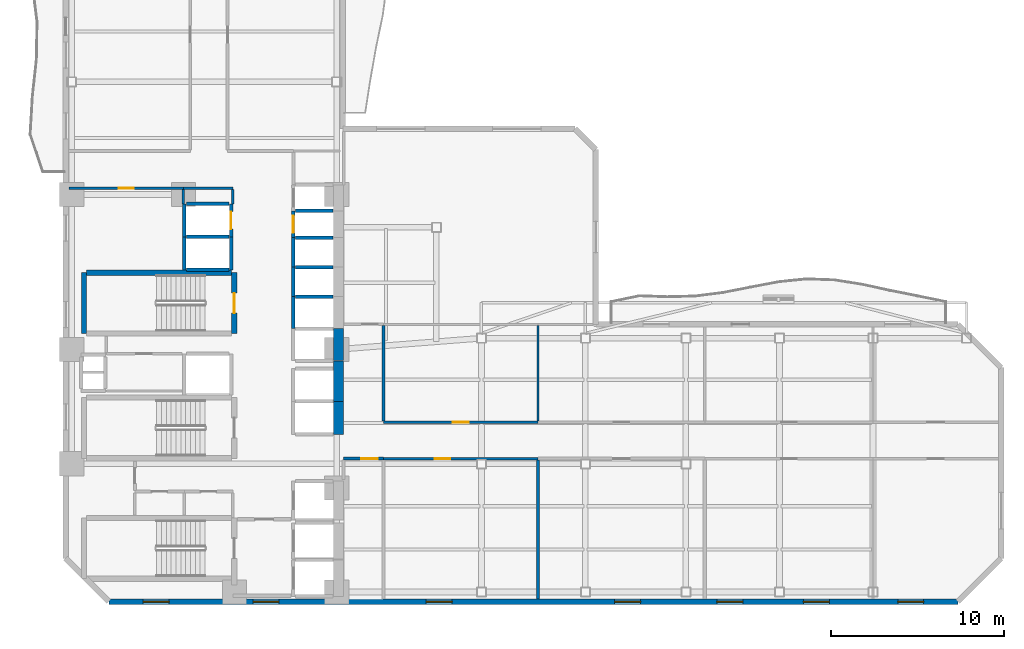
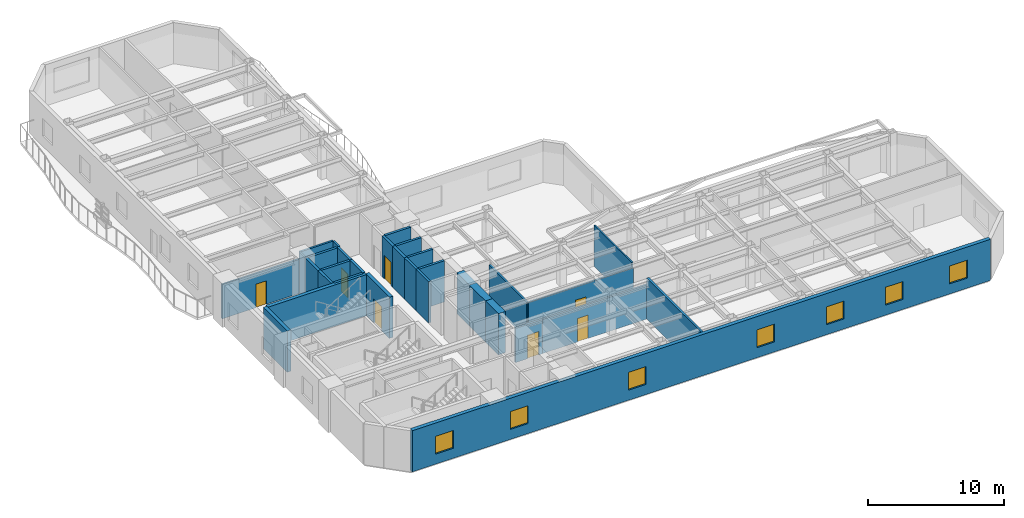
# One storey, part 4 of 10: 32 walls, 7 doors, 7 windows, 14 openings.
"""IFC4 building model written with IfcOpenShell, lengths in metres."""

from ifc_helpers import new_model, si_unit, direction, frame, frame_2d, origin, place, context, subcontext, project, spatial, rectangle, extrude, material, layer, layer_set, type_object, element, fill, save


model = new_model("IFC4")

# Units and contexts
model_context = context("Model", 3, precision=1e-05, world=origin(), true_north=direction((0.0, 1.0)))
body_context = subcontext(model_context, "Body", "Model", "MODEL_VIEW")
ifc_project = project(units=[si_unit("LENGTHUNIT", "METRE"), si_unit("AREAUNIT", "SQUARE_METRE"), si_unit("VOLUMEUNIT", "CUBIC_METRE"), si_unit("PLANEANGLEUNIT", "RADIAN"), si_unit("MASSUNIT", "GRAM", prefix="KILO")], contexts=[model_context])

# Site, building, storey
site_placement = place(None, origin())
site = spatial("IfcSite", under=ifc_project, at=site_placement, CompositionType="ELEMENT")
building_placement = place(site_placement, origin())
building = spatial("IfcBuilding", under=site, at=building_placement, Name="Mawjaban Terraces University", CompositionType="ELEMENT")
storey_placement = place(building_placement, frame((0.0, 0.0, 58.300048828125)))
storey = spatial("IfcBuildingStorey", under=building, at=storey_placement, Name="L13", CompositionType="ELEMENT", Elevation=58.300048828125)

# Wall, opening, door
ifc_material_1 = material(Name="Acoustic masonry blockwork", Category="masonry")
ifc_layer_1 = layer(ifc_material_1, 0.179931640625)
ifc_layer_set_1 = layer_set([ifc_layer_1], Name="Acoustic masonry blockwork")
wall_type_1 = type_object("IfcWallType", Name="AcousticStudioWall_180", PredefinedType="PARTITIONING", material=ifc_layer_set_1)
wall_1_placement = place(storey_placement, frame((38.050048828125, 8.25, 0.0), z_axis=(0.0, 0.0, 1.0), x_axis=(1.0, 0.0, 0.0)))
wall_1 = element("IfcWall", 1, at=wall_1_placement, inside=storey, type_object=wall_type_1, Name="L13 East Academic Corridor Vestibule Partition 14", PredefinedType="PARTITIONING", context=body_context, shape_type="SweptSolid", body=[
    extrude(rectangle(XDim=2.300048828125, YDim=0.179931640625, at=frame_2d((1.14990234375, 0.0))), origin(), (0.0, 0.0, 1.0), 3.054931640625),
])
opening_1_placement = place(wall_1_placement, frame((1.02490234375, 0.0, 0.0)))
opening_1 = element("IfcOpeningElement", 2, at=opening_1_placement, cuts=wall_1, Name="Opening ID-095", PredefinedType="OPENING", context=body_context, shape_type="SweptSolid", body=[
    extrude(rectangle(XDim=0.949951171875, YDim=2.10009765625, at=frame_2d((0.47509765625, 1.050048828125))), frame((0.0, 0.099853515625, 0.0), z_axis=(0.0, -1.0, 0.0), x_axis=(1.0, 0.0, 0.0)), (0.0, 0.0, 1.0), 0.199951171875),
])
ifc_material_2 = material(Name="Powder-coated steel frame and solid acoustic timber leaf", Category="steel")
door_type_1 = type_object("IfcDoorType", Name="StudioDoor_950x2100", OperationType="NOTDEFINED", PredefinedType="DOOR", material=ifc_material_2)
door_1_placement = place(opening_1_placement, origin())
door_1 = element("IfcDoor", 3, at=door_1_placement, inside=storey, type_object=door_type_1, Name="L13 Media Workshop 1 Door", OperationType="SINGLE_SWING_LEFT", OverallHeight=2.10009765625, OverallWidth=0.949951171875, PredefinedType="DOOR", context=body_context, shape_type="SweptSolid", body=[
    extrude(rectangle(XDim=0.949951171875, YDim=2.10009765625, at=frame_2d((0.47509765625, 1.050048828125))), frame((0.0, 0.02490234375, 0.0), z_axis=(0.0, -1.0, 0.0), x_axis=(1.0, 0.0, 0.0)), (0.0, 0.0, 1.0), 0.050048828125),
])
fill(opening_1, door_1)

# Walls
wall_2_placement = place(storey_placement, frame((49.260009765625, 0.155029296875, 0.0), z_axis=(0.0, 0.0, 1.0), x_axis=(0.0, 1.0, 0.0)))
element("IfcWall", 4, at=wall_2_placement, inside=storey, type_object=wall_type_1, Name="L13 Quiet Reading Room 2 Partition 42", PredefinedType="PARTITIONING", context=body_context, shape_type="SweptSolid", body=[
    extrude(rectangle(XDim=8.010009765625, YDim=0.179931640625, at=frame_2d((4.0048828125, 0.0))), origin(), (0.0, 0.0, 1.0), 3.68994140625),
])
ifc_material_3 = material(Name="Concrete C70/85", Category="concrete")
ifc_layer_2 = layer(ifc_material_3, 0.60009765625)
ifc_layer_set_2 = layer_set([ifc_layer_2], Name="Concrete C70/85")
wall_type_2 = type_object("IfcWallType", Name="CoreShearWall_600", PredefinedType="SHEAR", material=ifc_layer_set_2)
wall_3_placement = place(storey_placement, frame((37.75, 9.64990234375, 0.0), z_axis=(0.0, 0.0, 1.0), x_axis=(0.0, 1.0, 0.0)))
element("IfcWall", 5, at=wall_3_placement, inside=storey, type_object=wall_type_2, Name="L13 Lift PL-H1 Hoistway Wall East", PredefinedType="SHEAR", context=body_context, shape_type="SweptSolid", body=[
    extrude(rectangle(XDim=1.900146484375, YDim=0.60009765625, at=frame_2d((0.9501953125, 0.0))), origin(), (0.0, 0.0, 1.0), 3.68994140625),
])
wall_4_placement = place(storey_placement, frame((37.75, 11.550048828125, 0.0), z_axis=(0.0, 0.0, 1.0), x_axis=(0.0, 1.0, 0.0)))
element("IfcWall", 6, at=wall_4_placement, inside=storey, type_object=wall_type_2, Name="L13 Lift PL-H2 Hoistway Wall East", PredefinedType="SHEAR", context=body_context, shape_type="SweptSolid", body=[
    extrude(rectangle(XDim=2.349853515625, YDim=0.60009765625, at=frame_2d((1.1748046875, 0.0))), origin(), (0.0, 0.0, 1.0), 3.68994140625),
])
wall_5_placement = place(storey_placement, frame((37.75, 13.89990234375, 0.0), z_axis=(0.0, 0.0, 1.0), x_axis=(0.0, 1.0, 0.0)))
element("IfcWall", 7, at=wall_5_placement, inside=storey, type_object=wall_type_2, Name="L13 Lift OL-1 Hoistway Wall East", PredefinedType="SHEAR", context=body_context, shape_type="SweptSolid", body=[
    extrude(rectangle(XDim=1.85009765625, YDim=0.60009765625, at=frame_2d((0.925048828125, 0.0))), origin(), (0.0, 0.0, 1.0), 3.68994140625),
])

# Wall, opening, door
ifc_material_4 = material(Name="Fire-rated gypsum board on steel stud", Category="steel")
ifc_layer_3 = layer(ifc_material_4, 0.159912109375)
ifc_layer_set_3 = layer_set([ifc_layer_3], Name="Fire-rated gypsum board on steel stud")
wall_type_3 = type_object("IfcWallType", Name="CorridorPartition_160", PredefinedType="PARTITIONING", material=ifc_layer_set_3)
wall_6_placement = place(storey_placement, frame((28.800048828125, 23.85009765625, 0.0), z_axis=(0.0, 0.0, 1.0), x_axis=(-1.0, 0.0, 0.0)))
wall_6 = element("IfcWall", 8, at=wall_6_placement, inside=storey, type_object=wall_type_3, Name="L13 Female Toilet Partition 4", PredefinedType="PARTITIONING", context=body_context, shape_type="SweptSolid", body=[
    extrude(rectangle(XDim=6.60009765625, YDim=0.159912109375, at=frame_2d((3.300048828125, 0.0))), origin(), (0.0, 0.0, 1.0), 3.054931640625),
])
opening_2_placement = place(wall_6_placement, frame((2.860107421875, 0.0, 0.0)))
opening_2 = element("IfcOpeningElement", 9, at=opening_2_placement, cuts=wall_6, Name="Opening ID-088", PredefinedType="OPENING", context=body_context, shape_type="SweptSolid", body=[
    extrude(rectangle(XDim=0.8798828125, YDim=2.10009765625, at=frame_2d((0.43994140625, 1.050048828125))), frame((0.0, 0.08984375, 0.0), z_axis=(0.0, -1.0, 0.0), x_axis=(1.0, 0.0, 0.0)), (0.0, 0.0, 1.0), 0.179931640625),
])
door_type_2 = type_object("IfcDoorType", Name="ToiletDoor_880x2100", OperationType="NOTDEFINED", PredefinedType="DOOR", material=ifc_material_2)
door_2_placement = place(opening_2_placement, origin())
door_2 = element("IfcDoor", 10, at=door_2_placement, inside=storey, type_object=door_type_2, Name="L13 Female Toilet Door", OperationType="SINGLE_SWING_RIGHT", OverallHeight=2.10009765625, OverallWidth=0.8798828125, PredefinedType="DOOR", context=body_context, shape_type="SweptSolid", body=[
    extrude(rectangle(XDim=0.8798828125, YDim=2.10009765625, at=frame_2d((0.43994140625, 1.050048828125))), frame((0.0, 0.02490234375, 0.0), z_axis=(0.0, -1.0, 0.0), x_axis=(1.0, 0.0, 0.0)), (0.0, 0.0, 1.0), 0.050048828125),
])
fill(opening_2, door_2)

# Wall
wall_7_placement = place(storey_placement, frame((28.800048828125, 23.85009765625, 0.0), z_axis=(0.0, 0.0, 1.0), x_axis=(1.0, 0.0, 0.0)))
element("IfcWall", 11, at=wall_7_placement, inside=storey, type_object=wall_type_3, Name="L13 North Core Cross-Corridor Partition 5", PredefinedType="PARTITIONING", context=body_context, shape_type="SweptSolid", body=[
    extrude(rectangle(XDim=2.849853515625, YDim=0.159912109375, at=frame_2d((1.4248046875, 0.0))), origin(), (0.0, 0.0, 1.0), 3.68994140625),
])

# Wall, opening, door
wall_8_placement = place(storey_placement, frame((40.35009765625, 8.25, 0.0), z_axis=(0.0, 0.0, 1.0), x_axis=(1.0, 0.0, 0.0)))
wall_8 = element("IfcWall", 12, at=wall_8_placement, inside=storey, type_object=wall_type_3, Name="L13 East Academic Spine Corridor Partition 15", PredefinedType="PARTITIONING", context=body_context, shape_type="SweptSolid", body=[
    extrude(rectangle(XDim=8.909912109375, YDim=0.159912109375, at=frame_2d((4.455078125, 0.0))), origin(), (0.0, 0.0, 1.0), 3.054931640625),
])
opening_3_placement = place(wall_8_placement, frame((2.955078125, 0.0, 0.0)))
opening_3 = element("IfcOpeningElement", 13, at=opening_3_placement, cuts=wall_8, Name="Opening ID-090", PredefinedType="OPENING", context=body_context, shape_type="SweptSolid", body=[
    extrude(rectangle(XDim=0.89990234375, YDim=2.10009765625, at=frame_2d((0.449951171875, 1.050048828125))), frame((0.0, 0.08984375, 0.0), z_axis=(0.0, -1.0, 0.0), x_axis=(1.0, 0.0, 0.0)), (0.0, 0.0, 1.0), 0.179931640625),
])
door_type_3 = type_object("IfcDoorType", Name="OfficeDoor_900x2100", OperationType="NOTDEFINED", PredefinedType="DOOR", material=ifc_material_2)
door_3_placement = place(opening_3_placement, origin())
door_3 = element("IfcDoor", 14, at=door_3_placement, inside=storey, type_object=door_type_3, Name="L13 Quiet Reading Room 2 Door", OperationType="SINGLE_SWING_RIGHT", OverallHeight=2.10009765625, OverallWidth=0.89990234375, PredefinedType="DOOR", context=body_context, shape_type="SweptSolid", body=[
    extrude(rectangle(XDim=0.89990234375, YDim=2.10009765625, at=frame_2d((0.449951171875, 1.050048828125))), frame((0.0, 0.02490234375, 0.0), z_axis=(0.0, -1.0, 0.0), x_axis=(1.0, 0.0, 0.0)), (0.0, 0.0, 1.0), 0.050048828125),
])
fill(opening_3, door_3)

wall_9_placement = place(storey_placement, frame((49.260009765625, 10.35009765625, 0.0), z_axis=(0.0, 0.0, 1.0), x_axis=(-1.0, 0.0, 0.0)))
wall_9 = element("IfcWall", 15, at=wall_9_placement, inside=storey, type_object=wall_type_3, Name="L13 East Academic Spine Corridor Partition 18", PredefinedType="PARTITIONING", context=body_context, shape_type="SweptSolid", body=[
    extrude(rectangle(XDim=8.909912109375, YDim=0.159912109375, at=frame_2d((4.455078125, 0.0))), origin(), (0.0, 0.0, 1.0), 3.27685546875),
])
opening_4_placement = place(wall_9_placement, frame((4.0048828125, 0.0, 0.0)))
opening_4 = element("IfcOpeningElement", 16, at=opening_4_placement, cuts=wall_9, Name="Opening ID-090", PredefinedType="OPENING", context=body_context, shape_type="SweptSolid", body=[
    extrude(rectangle(XDim=0.89990234375, YDim=2.10009765625, at=frame_2d((0.449951171875, 1.050048828125))), frame((0.0, 0.08984375, 0.0), z_axis=(0.0, -1.0, 0.0), x_axis=(1.0, 0.0, 0.0)), (0.0, 0.0, 1.0), 0.179931640625),
])
door_4_placement = place(opening_4_placement, origin())
door_4 = element("IfcDoor", 17, at=door_4_placement, inside=storey, type_object=door_type_3, Name="L13 Reading Salon 3 Door", OperationType="SINGLE_SWING_LEFT", OverallHeight=2.10009765625, OverallWidth=0.89990234375, PredefinedType="DOOR", context=body_context, shape_type="SweptSolid", body=[
    extrude(rectangle(XDim=0.89990234375, YDim=2.10009765625, at=frame_2d((0.449951171875, 1.050048828125))), frame((0.0, 0.02490234375, 0.0), z_axis=(0.0, -1.0, 0.0), x_axis=(1.0, 0.0, 0.0)), (0.0, 0.0, 1.0), 0.050048828125),
])
fill(opening_4, door_4)

# Walls
wall_10_placement = place(storey_placement, frame((31.64990234375, 23.77490234375, 0.0), z_axis=(0.0, 0.0, 1.0), x_axis=(0.0, -1.0, 0.0)))
element("IfcWall", 18, at=wall_10_placement, inside=storey, type_object=wall_type_3, Name="L13 Passenger Lift Lobby Partition 36", PredefinedType="PARTITIONING", context=body_context, shape_type="SweptSolid", body=[
    extrude(rectangle(XDim=0.824951171875, YDim=0.159912109375, at=frame_2d((0.41259765625, 0.0))), origin(), (0.0, 0.0, 1.0), 3.68994140625),
])
wall_11_placement = place(storey_placement, frame((40.35009765625, 10.425048828125, 0.0), z_axis=(0.0, 0.0, 1.0), x_axis=(0.0, 1.0, 0.0)))
element("IfcWall", 19, at=wall_11_placement, inside=storey, type_object=wall_type_3, Name="L13 East Academic Corridor Vestibule Partition 41", PredefinedType="PARTITIONING", context=body_context, shape_type="SweptSolid", body=[
    extrude(rectangle(XDim=5.5, YDim=0.159912109375, at=frame_2d((2.75, 0.0))), origin(), (0.0, 0.0, 1.0), 3.27685546875),
])

# Wall, openings, windows
ifc_material_5 = material(Name="Insulated terracotta rainscreen on concrete backup C40/50", Category="masonry")
ifc_layer_4 = layer(ifc_material_5, 0.320068359375)
ifc_layer_set_4 = layer_set([ifc_layer_4], Name="Insulated terracotta rainscreen on concrete backup C40/50")
wall_type_4 = type_object("IfcWallType", Name="ExtTerracottaWall_320", PredefinedType="SOLIDWALL", material=ifc_layer_set_4)
wall_12_placement = place(storey_placement, frame((24.5, 0.0, 0.0), z_axis=(0.0, 0.0, 1.0), x_axis=(1.0, 0.0, 0.0)))
wall_12 = element("IfcWall", 20, at=wall_12_placement, inside=storey, type_object=wall_type_4, Name="L13 Exterior Terracotta Wall 1", PredefinedType="SOLIDWALL", context=body_context, shape_type="SweptSolid", body=[
    extrude(rectangle(XDim=49.0, YDim=0.320068359375, at=frame_2d((24.5, 0.0))), origin(), (0.0, 0.0, 1.0), 3.68994140625),
])
opening_5_placement = place(wall_12_placement, frame((1.971923828125, 0.0, 0.89990234375)))
opening_5 = element("IfcOpeningElement", 21, at=opening_5_placement, cuts=wall_12, Name="Opening W-02", PredefinedType="OPENING", context=body_context, shape_type="SweptSolid", body=[
    extrude(rectangle(XDim=1.5, YDim=1.60009765625, at=frame_2d((0.75, 0.800048828125))), frame((0.0, 0.169921875, 0.0), z_axis=(0.0, -1.0, 0.0), x_axis=(1.0, 0.0, 0.0)), (0.0, 0.0, 1.0), 0.340087890625),
])
opening_6_placement = place(wall_12_placement, frame((8.31689453125, 0.0, 0.89990234375)))
opening_6 = element("IfcOpeningElement", 22, at=opening_6_placement, cuts=wall_12, Name="Opening W-02", PredefinedType="OPENING", context=body_context, shape_type="SweptSolid", body=[
    extrude(rectangle(XDim=1.5, YDim=1.60009765625, at=frame_2d((0.75, 0.800048828125))), frame((0.0, 0.169921875, 0.0), z_axis=(0.0, -1.0, 0.0), x_axis=(1.0, 0.0, 0.0)), (0.0, 0.0, 1.0), 0.340087890625),
])
opening_7_placement = place(wall_12_placement, frame((18.305908203125, 0.0, 0.89990234375)))
opening_7 = element("IfcOpeningElement", 23, at=opening_7_placement, cuts=wall_12, Name="Opening W-02", PredefinedType="OPENING", context=body_context, shape_type="SweptSolid", body=[
    extrude(rectangle(XDim=1.5, YDim=1.60009765625, at=frame_2d((0.75, 0.800048828125))), frame((0.0, 0.169921875, 0.0), z_axis=(0.0, -1.0, 0.0), x_axis=(1.0, 0.0, 0.0)), (0.0, 0.0, 1.0), 0.340087890625),
])
opening_8_placement = place(wall_12_placement, frame((29.194091796875, 0.0, 0.89990234375)))
opening_8 = element("IfcOpeningElement", 24, at=opening_8_placement, cuts=wall_12, Name="Opening W-02", PredefinedType="OPENING", context=body_context, shape_type="SweptSolid", body=[
    extrude(rectangle(XDim=1.5, YDim=1.60009765625, at=frame_2d((0.75, 0.800048828125))), frame((0.0, 0.169921875, 0.0), z_axis=(0.0, -1.0, 0.0), x_axis=(1.0, 0.0, 0.0)), (0.0, 0.0, 1.0), 0.340087890625),
])
opening_9_placement = place(wall_12_placement, frame((35.089111328125, 0.0, 0.89990234375)))
opening_9 = element("IfcOpeningElement", 25, at=opening_9_placement, cuts=wall_12, Name="Opening W-02", PredefinedType="OPENING", context=body_context, shape_type="SweptSolid", body=[
    extrude(rectangle(XDim=1.5, YDim=1.60009765625, at=frame_2d((0.75, 0.800048828125))), frame((0.0, 0.169921875, 0.0), z_axis=(0.0, -1.0, 0.0), x_axis=(1.0, 0.0, 0.0)), (0.0, 0.0, 1.0), 0.340087890625),
])
opening_10_placement = place(wall_12_placement, frame((40.0830078125, 0.0, 0.89990234375)))
opening_10 = element("IfcOpeningElement", 26, at=opening_10_placement, cuts=wall_12, Name="Opening W-02", PredefinedType="OPENING", context=body_context, shape_type="SweptSolid", body=[
    extrude(rectangle(XDim=1.5, YDim=1.60009765625, at=frame_2d((0.75, 0.800048828125))), frame((0.0, 0.169921875, 0.0), z_axis=(0.0, -1.0, 0.0), x_axis=(1.0, 0.0, 0.0)), (0.0, 0.0, 1.0), 0.340087890625),
])
opening_11_placement = place(wall_12_placement, frame((45.528076171875, 0.0, 0.89990234375)))
opening_11 = element("IfcOpeningElement", 27, at=opening_11_placement, cuts=wall_12, Name="Opening W-02", PredefinedType="OPENING", context=body_context, shape_type="SweptSolid", body=[
    extrude(rectangle(XDim=1.5, YDim=1.60009765625, at=frame_2d((0.75, 0.800048828125))), frame((0.0, 0.169921875, 0.0), z_axis=(0.0, -1.0, 0.0), x_axis=(1.0, 0.0, 0.0)), (0.0, 0.0, 1.0), 0.340087890625),
])
ifc_material_6 = material(Name="Low-E solar-control double glazing in thermally broken aluminium frame", Category="aluminium")
window_type = type_object("IfcWindowType", Name="Win_1500x1600", PartitioningType="SINGLE_PANEL", PredefinedType="WINDOW", material=ifc_material_6)
window_1_placement = place(opening_5_placement, origin())
window_1 = element("IfcWindow", 28, at=window_1_placement, inside=storey, type_object=window_type, Name="L13 Facade Window 1.1", OverallHeight=1.60009765625, OverallWidth=1.5, PartitioningType="SINGLE_PANEL", PredefinedType="WINDOW", context=body_context, shape_type="SweptSolid", body=[
    extrude(rectangle(XDim=1.5, YDim=1.60009765625, at=frame_2d((0.75, 0.800048828125))), frame((0.0, 0.030029296875, 0.0), z_axis=(0.0, -1.0, 0.0), x_axis=(1.0, 0.0, 0.0)), (0.0, 0.0, 1.0), 0.06005859375),
])
fill(opening_5, window_1)
window_2_placement = place(opening_6_placement, origin())
window_2 = element("IfcWindow", 29, at=window_2_placement, inside=storey, type_object=window_type, Name="L13 Facade Window 1.2", OverallHeight=1.60009765625, OverallWidth=1.5, PartitioningType="SINGLE_PANEL", PredefinedType="WINDOW", context=body_context, shape_type="SweptSolid", body=[
    extrude(rectangle(XDim=1.5, YDim=1.60009765625, at=frame_2d((0.75, 0.800048828125))), frame((0.0, 0.030029296875, 0.0), z_axis=(0.0, -1.0, 0.0), x_axis=(1.0, 0.0, 0.0)), (0.0, 0.0, 1.0), 0.06005859375),
])
fill(opening_6, window_2)
window_3_placement = place(opening_7_placement, origin())
window_3 = element("IfcWindow", 30, at=window_3_placement, inside=storey, type_object=window_type, Name="L13 Facade Window 1.4", OverallHeight=1.60009765625, OverallWidth=1.5, PartitioningType="SINGLE_PANEL", PredefinedType="WINDOW", context=body_context, shape_type="SweptSolid", body=[
    extrude(rectangle(XDim=1.5, YDim=1.60009765625, at=frame_2d((0.75, 0.800048828125))), frame((0.0, 0.030029296875, 0.0), z_axis=(0.0, -1.0, 0.0), x_axis=(1.0, 0.0, 0.0)), (0.0, 0.0, 1.0), 0.06005859375),
])
fill(opening_7, window_3)
window_4_placement = place(opening_8_placement, origin())
window_4 = element("IfcWindow", 31, at=window_4_placement, inside=storey, type_object=window_type, Name="L13 Facade Window 1.6", OverallHeight=1.60009765625, OverallWidth=1.5, PartitioningType="SINGLE_PANEL", PredefinedType="WINDOW", context=body_context, shape_type="SweptSolid", body=[
    extrude(rectangle(XDim=1.5, YDim=1.60009765625, at=frame_2d((0.75, 0.800048828125))), frame((0.0, 0.030029296875, 0.0), z_axis=(0.0, -1.0, 0.0), x_axis=(1.0, 0.0, 0.0)), (0.0, 0.0, 1.0), 0.06005859375),
])
fill(opening_8, window_4)
window_5_placement = place(opening_9_placement, origin())
window_5 = element("IfcWindow", 32, at=window_5_placement, inside=storey, type_object=window_type, Name="L13 Facade Window 1.7", OverallHeight=1.60009765625, OverallWidth=1.5, PartitioningType="SINGLE_PANEL", PredefinedType="WINDOW", context=body_context, shape_type="SweptSolid", body=[
    extrude(rectangle(XDim=1.5, YDim=1.60009765625, at=frame_2d((0.75, 0.800048828125))), frame((0.0, 0.030029296875, 0.0), z_axis=(0.0, -1.0, 0.0), x_axis=(1.0, 0.0, 0.0)), (0.0, 0.0, 1.0), 0.06005859375),
])
fill(opening_9, window_5)
window_6_placement = place(opening_10_placement, origin())
window_6 = element("IfcWindow", 33, at=window_6_placement, inside=storey, type_object=window_type, Name="L13 Facade Window 1.8", OverallHeight=1.60009765625, OverallWidth=1.5, PartitioningType="SINGLE_PANEL", PredefinedType="WINDOW", context=body_context, shape_type="SweptSolid", body=[
    extrude(rectangle(XDim=1.5, YDim=1.60009765625, at=frame_2d((0.75, 0.800048828125))), frame((0.0, 0.030029296875, 0.0), z_axis=(0.0, -1.0, 0.0), x_axis=(1.0, 0.0, 0.0)), (0.0, 0.0, 1.0), 0.06005859375),
])
fill(opening_10, window_6)
window_7_placement = place(opening_11_placement, origin())
window_7 = element("IfcWindow", 34, at=window_7_placement, inside=storey, type_object=window_type, Name="L13 Facade Window 1.9", OverallHeight=1.60009765625, OverallWidth=1.5, PartitioningType="SINGLE_PANEL", PredefinedType="WINDOW", context=body_context, shape_type="SweptSolid", body=[
    extrude(rectangle(XDim=1.5, YDim=1.60009765625, at=frame_2d((0.75, 0.800048828125))), frame((0.0, 0.030029296875, 0.0), z_axis=(0.0, -1.0, 0.0), x_axis=(1.0, 0.0, 0.0)), (0.0, 0.0, 1.0), 0.06005859375),
])
fill(opening_11, window_7)

# Walls
ifc_material_7 = material(Name="Concrete C40/50", Category="concrete")
ifc_layer_5 = layer(ifc_material_7, 0.199951171875)
ifc_layer_set_5 = layer_set([ifc_layer_5], Name="Concrete C40/50")
wall_type_5 = type_object("IfcWallType", Name="FireLobbyWall_200", PredefinedType="SOLIDWALL", material=ifc_layer_set_5)
wall_13_placement = place(storey_placement, frame((35.14990234375, 17.60009765625, 0.0), z_axis=(0.0, 0.0, 1.0), x_axis=(0.0, -1.0, 0.0)))
element("IfcWall", 35, at=wall_13_placement, inside=storey, type_object=wall_type_5, Name="L13 Lift OL-2 Hoistway Wall West", PredefinedType="SOLIDWALL", context=body_context, shape_type="SweptSolid", body=[
    extrude(rectangle(XDim=1.85009765625, YDim=0.199951171875, at=frame_2d((0.925048828125, 0.0))), origin(), (0.0, 0.0, 1.0), 3.68994140625),
])
wall_14_placement = place(storey_placement, frame((37.419921875, 17.60009765625, 0.0), z_axis=(0.0, 0.0, 1.0), x_axis=(-1.0, 0.0, 0.0)))
element("IfcWall", 36, at=wall_14_placement, inside=storey, type_object=wall_type_5, Name="L13 Lift OL-2 Hoistway Wall North", PredefinedType="SOLIDWALL", context=body_context, shape_type="SweptSolid", body=[
    extrude(rectangle(XDim=2.139892578125, YDim=0.199951171875, at=frame_2d((1.06982421875, 0.0))), origin(), (0.0, 0.0, 1.0), 3.68994140625),
])
wall_15_placement = place(storey_placement, frame((35.14990234375, 19.300048828125, 0.0), z_axis=(0.0, 0.0, 1.0), x_axis=(0.0, -1.0, 0.0)))
element("IfcWall", 37, at=wall_15_placement, inside=storey, type_object=wall_type_5, Name="L13 Lift PL-M1 Hoistway Wall West", PredefinedType="SOLIDWALL", context=body_context, shape_type="SweptSolid", body=[
    extrude(rectangle(XDim=1.699951171875, YDim=0.199951171875, at=frame_2d((0.85009765625, 0.0))), origin(), (0.0, 0.0, 1.0), 3.68994140625),
])
wall_16_placement = place(storey_placement, frame((37.419921875, 19.300048828125, 0.0), z_axis=(0.0, 0.0, 1.0), x_axis=(-1.0, 0.0, 0.0)))
element("IfcWall", 38, at=wall_16_placement, inside=storey, type_object=wall_type_5, Name="L13 Lift PL-M1 Hoistway Wall North", PredefinedType="SOLIDWALL", context=body_context, shape_type="SweptSolid", body=[
    extrude(rectangle(XDim=2.139892578125, YDim=0.199951171875, at=frame_2d((1.06982421875, 0.0))), origin(), (0.0, 0.0, 1.0), 3.68994140625),
])
wall_17_placement = place(storey_placement, frame((35.14990234375, 21.0, 0.0), z_axis=(0.0, 0.0, 1.0), x_axis=(0.0, -1.0, 0.0)))
element("IfcWall", 39, at=wall_17_placement, inside=storey, type_object=wall_type_5, Name="L13 Lift PL-M2 Hoistway Wall West", PredefinedType="SOLIDWALL", context=body_context, shape_type="SweptSolid", body=[
    extrude(rectangle(XDim=1.699951171875, YDim=0.199951171875, at=frame_2d((0.85009765625, 0.0))), origin(), (0.0, 0.0, 1.0), 3.68994140625),
])
wall_18_placement = place(storey_placement, frame((37.419921875, 21.0, 0.0), z_axis=(0.0, 0.0, 1.0), x_axis=(-1.0, 0.0, 0.0)))
element("IfcWall", 40, at=wall_18_placement, inside=storey, type_object=wall_type_5, Name="L13 Lift PL-M2 Hoistway Wall North", PredefinedType="SOLIDWALL", context=body_context, shape_type="SweptSolid", body=[
    extrude(rectangle(XDim=2.139892578125, YDim=0.199951171875, at=frame_2d((1.06982421875, 0.0))), origin(), (0.0, 0.0, 1.0), 3.68994140625),
])
for number, where, z_axis, x_axis, name in (
    (41, (28.85009765625, 21.050048828125, 0.0), (0.0, 0.0, 1.0), (0.0, -1.0, 0.0), "L13 Lift PL-M3 Hoistway Wall West"),
    (42, (31.550048828125, 19.14990234375, 0.0), (0.0, 0.0, 1.0), (0.0, 1.0, 0.0), "L13 Lift PL-M3 Hoistway Wall East"),
):
    element("IfcWall", number, at=place(storey_placement, frame(where, z_axis=z_axis, x_axis=x_axis)), inside=storey, type_object=wall_type_5, Name=name, PredefinedType="SOLIDWALL", context=body_context, shape_type="SweptSolid", body=[
        extrude(rectangle(XDim=1.900146484375, YDim=0.199951171875, at=frame_2d((0.9501953125, 0.0))), origin(), (0.0, 0.0, 1.0), 3.68994140625),
    ])
for number, where, z_axis, x_axis, name in (
    (43, (28.97998046875, 19.14990234375, 0.0), (0.0, 0.0, 1.0), (1.0, 0.0, 0.0), "L13 Lift PL-M3 Hoistway Wall South"),
    (44, (31.419921875, 21.050048828125, 0.0), (0.0, 0.0, 1.0), (-1.0, 0.0, 0.0), "L13 Lift PL-M3 Hoistway Wall North"),
):
    element("IfcWall", number, at=place(storey_placement, frame(where, z_axis=z_axis, x_axis=x_axis)), inside=storey, type_object=wall_type_5, Name=name, PredefinedType="SOLIDWALL", context=body_context, shape_type="SweptSolid", body=[
        extrude(rectangle(XDim=2.43994140625, YDim=0.199951171875, at=frame_2d((1.219970703125, 0.0))), origin(), (0.0, 0.0, 1.0), 3.68994140625),
    ])

# Wall, opening, door
wall_19_placement = place(storey_placement, frame((35.14990234375, 22.550048828125, 0.0), z_axis=(0.0, 0.0, 1.0), x_axis=(0.0, -1.0, 0.0)))
wall_19 = element("IfcWall", 45, at=wall_19_placement, inside=storey, type_object=wall_type_5, Name="L13 Lift PL-L1 Hoistway Wall West", PredefinedType="SOLIDWALL", context=body_context, shape_type="SweptSolid", body=[
    extrude(rectangle(XDim=1.550048828125, YDim=0.199951171875, at=frame_2d((0.77490234375, 0.0))), origin(), (0.0, 0.0, 1.0), 3.68994140625),
])
opening_12_placement = place(wall_19_placement, frame((0.27490234375, 0.0, 0.0)))
opening_12 = element("IfcOpeningElement", 46, at=opening_12_placement, cuts=wall_19, Name="Opening LD-PL-L1", PredefinedType="OPENING", context=body_context, shape_type="SweptSolid", body=[
    extrude(rectangle(XDim=1.0, YDim=2.10009765625, at=frame_2d((0.5, 1.050048828125))), frame((0.0, 0.10986328125, 0.0), z_axis=(0.0, -1.0, 0.0), x_axis=(1.0, 0.0, 0.0)), (0.0, 0.0, 1.0), 0.219970703125),
])
ifc_material_8 = material(Name="Powder-coated steel frame and fire-rated steel-faced leaf", Category="steel")
door_type_4 = type_object("IfcDoorType", Name="LiftLandingSliding_1000x2100", OperationType="NOTDEFINED", PredefinedType="DOOR", material=ifc_material_8)
door_5_placement = place(opening_12_placement, origin())
door_5 = element("IfcDoor", 47, at=door_5_placement, inside=storey, type_object=door_type_4, Name="L13 Lift PL-L1 Sliding Landing Door", OperationType="DOUBLE_DOOR_SLIDING", OverallHeight=2.10009765625, OverallWidth=1.0, PredefinedType="DOOR", context=body_context, shape_type="SweptSolid", body=[
    extrude(rectangle(XDim=1.0, YDim=2.10009765625, at=frame_2d((0.5, 1.050048828125))), frame((0.0, 0.02490234375, 0.0), z_axis=(0.0, -1.0, 0.0), x_axis=(1.0, 0.0, 0.0)), (0.0, 0.0, 1.0), 0.050048828125),
])
fill(opening_12, door_5)

# Walls
wall_20_placement = place(storey_placement, frame((37.419921875, 22.550048828125, 0.0), z_axis=(0.0, 0.0, 1.0), x_axis=(-1.0, 0.0, 0.0)))
element("IfcWall", 48, at=wall_20_placement, inside=storey, type_object=wall_type_5, Name="L13 Lift PL-L1 Hoistway Wall North", PredefinedType="SOLIDWALL", context=body_context, shape_type="SweptSolid", body=[
    extrude(rectangle(XDim=2.139892578125, YDim=0.199951171875, at=frame_2d((1.06982421875, 0.0))), origin(), (0.0, 0.0, 1.0), 3.68994140625),
])
wall_21_placement = place(storey_placement, frame((28.85009765625, 22.949951171875, 0.0), z_axis=(0.0, 0.0, 1.0), x_axis=(0.0, -1.0, 0.0)))
element("IfcWall", 49, at=wall_21_placement, inside=storey, type_object=wall_type_5, Name="L13 Lift PL-L3 Hoistway Wall West", PredefinedType="SOLIDWALL", context=body_context, shape_type="SweptSolid", body=[
    extrude(rectangle(XDim=1.89990234375, YDim=0.199951171875, at=frame_2d((0.949951171875, 0.0))), origin(), (0.0, 0.0, 1.0), 3.68994140625),
])

# Wall, opening, door
wall_22_placement = place(storey_placement, frame((31.550048828125, 21.050048828125, 0.0), z_axis=(0.0, 0.0, 1.0), x_axis=(0.0, 1.0, 0.0)))
wall_22 = element("IfcWall", 50, at=wall_22_placement, inside=storey, type_object=wall_type_5, Name="L13 Lift PL-L3 Hoistway Wall East", PredefinedType="SOLIDWALL", context=body_context, shape_type="SweptSolid", body=[
    extrude(rectangle(XDim=1.89990234375, YDim=0.199951171875, at=frame_2d((0.949951171875, 0.0))), origin(), (0.0, 0.0, 1.0), 3.68994140625),
])
opening_13_placement = place(wall_22_placement, frame((0.449951171875, 0.0, 0.0)))
opening_13 = element("IfcOpeningElement", 51, at=opening_13_placement, cuts=wall_22, Name="Opening LD-PL-L3", PredefinedType="OPENING", context=body_context, shape_type="SweptSolid", body=[
    extrude(rectangle(XDim=1.0, YDim=2.10009765625, at=frame_2d((0.5, 1.050048828125))), frame((0.0, 0.10986328125, 0.0), z_axis=(0.0, -1.0, 0.0), x_axis=(1.0, 0.0, 0.0)), (0.0, 0.0, 1.0), 0.219970703125),
])
door_6_placement = place(opening_13_placement, origin())
door_6 = element("IfcDoor", 52, at=door_6_placement, inside=storey, type_object=door_type_4, Name="L13 Lift PL-L3 Sliding Landing Door", OperationType="DOUBLE_DOOR_SLIDING", OverallHeight=2.10009765625, OverallWidth=1.0, PredefinedType="DOOR", context=body_context, shape_type="SweptSolid", body=[
    extrude(rectangle(XDim=1.0, YDim=2.10009765625, at=frame_2d((0.5, 1.050048828125))), frame((0.0, 0.02490234375, 0.0), z_axis=(0.0, -1.0, 0.0), x_axis=(1.0, 0.0, 0.0)), (0.0, 0.0, 1.0), 0.050048828125),
])
fill(opening_13, door_6)

# Walls
wall_23_placement = place(storey_placement, frame((31.429931640625, 22.949951171875, 0.0), z_axis=(0.0, 0.0, 1.0), x_axis=(-1.0, 0.0, 0.0)))
element("IfcWall", 53, at=wall_23_placement, inside=storey, type_object=wall_type_5, Name="L13 Lift PL-L3 Hoistway Wall North", PredefinedType="SOLIDWALL", context=body_context, shape_type="SweptSolid", body=[
    extrude(rectangle(XDim=2.4599609375, YDim=0.199951171875, at=frame_2d((1.22998046875, 0.0))), origin(), (0.0, 0.0, 1.0), 3.68994140625),
])
ifc_material_9 = material(Name="Gypsum plasterboard on steel stud", Category="steel")
ifc_layer_6 = layer(ifc_material_9, 0.125)
ifc_layer_set_6 = layer_set([ifc_layer_6], Name="Gypsum plasterboard on steel stud")
wall_type_6 = type_object("IfcWallType", Name="OfficePartition_125", PredefinedType="PARTITIONING", material=ifc_layer_set_6)
wall_24_placement = place(storey_placement, frame((49.260009765625, 10.425048828125, 0.0), z_axis=(0.0, 0.0, 1.0), x_axis=(0.0, 1.0, 0.0)))
element("IfcWall", 54, at=wall_24_placement, inside=storey, type_object=wall_type_6, Name="L13 Reading Salon 3 Partition 43", PredefinedType="PARTITIONING", context=body_context, shape_type="SweptSolid", body=[
    extrude(rectangle(XDim=5.51806640625, YDim=0.125, at=frame_2d((2.759033203125, 0.0))), origin(), (0.0, 0.0, 1.0), 3.68994140625),
])
ifc_material_10 = material(Name="Concrete C60/75", Category="concrete")
ifc_layer_7 = layer(ifc_material_10, 0.300048828125)
ifc_layer_set_7 = layer_set([ifc_layer_7], Name="Concrete C60/75")
wall_type_7 = type_object("IfcWallType", Name="StairShaftWall_300", PredefinedType="SHEAR", material=ifc_layer_set_7)
wall_25_placement = place(storey_placement, frame((31.580078125, 18.97998046875, 0.0), z_axis=(0.0, 0.0, 1.0), x_axis=(-1.0, 0.0, 0.0)))
element("IfcWall", 55, at=wall_25_placement, inside=storey, type_object=wall_type_7, Name="L13 ST-2 Stair Shaft Wall 1", PredefinedType="SHEAR", context=body_context, shape_type="SweptSolid", body=[
    extrude(rectangle(XDim=8.360107421875, YDim=0.300048828125, at=frame_2d((4.18017578125, 0.0))), origin(), (0.0, 0.0, 1.0), 3.68994140625),
])
wall_26_placement = place(storey_placement, frame((23.070068359375, 18.97998046875, 0.0), z_axis=(0.0, 0.0, 1.0), x_axis=(0.0, -1.0, 0.0)))
element("IfcWall", 56, at=wall_26_placement, inside=storey, type_object=wall_type_7, Name="L13 ST-2 Stair Shaft Wall 2", PredefinedType="SHEAR", context=body_context, shape_type="SweptSolid", body=[
    extrude(rectangle(XDim=3.510009765625, YDim=0.300048828125, at=frame_2d((1.7548828125, 0.0))), origin(), (0.0, 0.0, 1.0), 3.68994140625),
])

# Wall, opening, door
wall_27_placement = place(storey_placement, frame((31.72998046875, 15.469970703125, 0.0), z_axis=(0.0, 0.0, 1.0), x_axis=(0.0, 1.0, 0.0)))
wall_27 = element("IfcWall", 57, at=wall_27_placement, inside=storey, type_object=wall_type_7, Name="L13 ST-2 Stair Shaft Wall 4", PredefinedType="SHEAR", context=body_context, shape_type="SweptSolid", body=[
    extrude(rectangle(XDim=3.510009765625, YDim=0.300048828125, at=frame_2d((1.7548828125, 0.0))), origin(), (0.0, 0.0, 1.0), 3.68994140625),
])
opening_14_placement = place(wall_27_placement, frame((1.179931640625, 0.0, 0.0)))
opening_14 = element("IfcOpeningElement", 58, at=opening_14_placement, cuts=wall_27, Name="Opening FD-115", PredefinedType="OPENING", context=body_context, shape_type="SweptSolid", body=[
    extrude(rectangle(XDim=1.14990234375, YDim=2.14990234375, at=frame_2d((0.574951171875, 1.074951171875))), frame((0.0, 0.159912109375, 0.0), z_axis=(0.0, -1.0, 0.0), x_axis=(1.0, 0.0, 0.0)), (0.0, 0.0, 1.0), 0.320068359375),
])
door_type_5 = type_object("IfcDoorType", Name="FireStairDoor_1150x2150", OperationType="NOTDEFINED", PredefinedType="DOOR", material=ifc_material_8)
door_7_placement = place(opening_14_placement, origin())
door_7 = element("IfcDoor", 59, at=door_7_placement, inside=storey, type_object=door_type_5, Name="L13 ST-2 Pressurised Stair Fire Door", OperationType="SINGLE_SWING_LEFT", OverallHeight=2.14990234375, OverallWidth=1.14990234375, PredefinedType="DOOR", context=body_context, shape_type="SweptSolid", body=[
    extrude(rectangle(XDim=1.14990234375, YDim=2.14990234375, at=frame_2d((0.574951171875, 1.074951171875))), frame((0.0, 0.02490234375, 0.0), z_axis=(0.0, -1.0, 0.0), x_axis=(1.0, 0.0, 0.0)), (0.0, 0.0, 1.0), 0.050048828125),
])
fill(opening_14, door_7)

# Wall
ifc_material_11 = material(Name="Cement-board wet-room partition", Category="masonry")
ifc_layer_8 = layer(ifc_material_11, 0.135009765625)
ifc_layer_set_8 = layer_set([ifc_layer_8], Name="Cement-board wet-room partition")
wall_type_8 = type_object("IfcWallType", Name="WetRoomPartition_135", PredefinedType="PARTITIONING", material=ifc_layer_set_8)
wall_28_placement = place(storey_placement, frame((28.800048828125, 22.949951171875, 0.0), z_axis=(0.0, 0.0, 1.0), x_axis=(0.0, 1.0, 0.0)))
element("IfcWall", 60, at=wall_28_placement, inside=storey, type_object=wall_type_8, Name="L13 Female Toilet Partition 29", PredefinedType="PARTITIONING", context=body_context, shape_type="SweptSolid", body=[
    extrude(rectangle(XDim=0.824951171875, YDim=0.135009765625, at=frame_2d((0.41259765625, 0.0))), origin(), (0.0, 0.0, 1.0), 3.68994140625),
])

save(model, "model.ifc")
